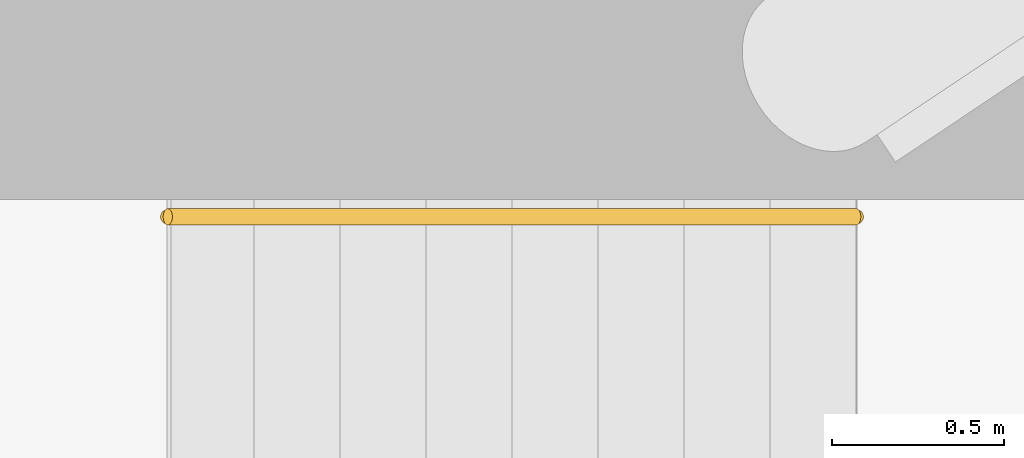
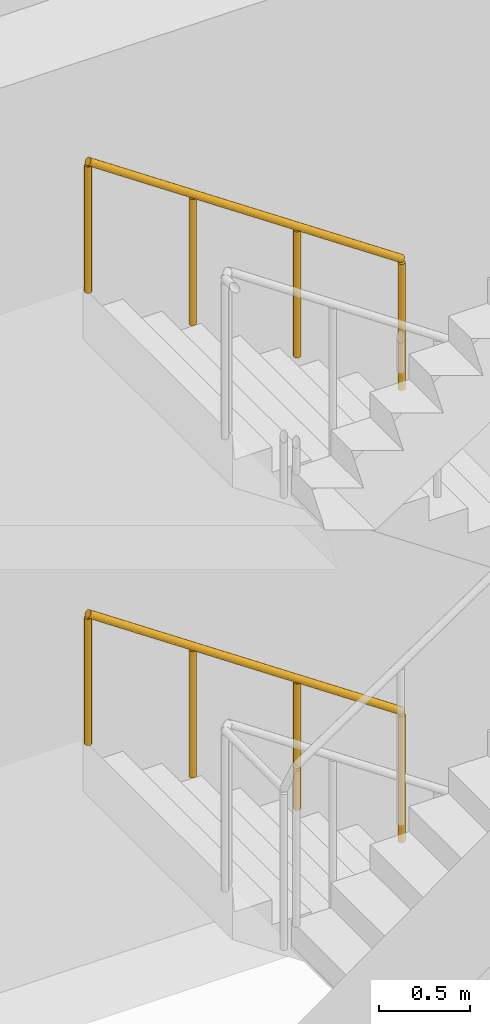
# One storey, part 24 of 25: 2 railings.
"""IFC4 building model written with IfcOpenShell, lengths in metres."""

from ifc_helpers import new_model, si_unit, direction, frame, origin, origin_2d, place, context, subcontext, project, spatial, circle, extrude, material, type_object, element, save


model = new_model("IFC4")

# Units and contexts
model_context = context("Model", 3, precision=1e-05, world=origin(), true_north=direction((0.0, 1.0)))
body_context = subcontext(model_context, "Body", "Model", "MODEL_VIEW")
ifc_project = project(units=[si_unit("LENGTHUNIT", "METRE"), si_unit("AREAUNIT", "SQUARE_METRE"), si_unit("VOLUMEUNIT", "CUBIC_METRE"), si_unit("PLANEANGLEUNIT", "RADIAN"), si_unit("MASSUNIT", "GRAM", prefix="KILO")], contexts=[model_context])

# Site, building, storey
site_placement = place(None, origin())
site = spatial("IfcSite", under=ifc_project, at=site_placement, CompositionType="ELEMENT")
building_placement = place(site_placement, origin())
building = spatial("IfcBuilding", under=site, at=building_placement, Name="Maasbend Ring Residences", CompositionType="ELEMENT")
storey_placement = place(building_placement, frame((0.0, 0.0, 139.10009765625)))
storey = spatial("IfcBuildingStorey", under=building, at=storey_placement, Name="L40", CompositionType="ELEMENT", Elevation=139.10009765625)

# Railings
ifc_material = material(Name="Stainless steel 316", Category="steel")
railing_type = type_object("IfcRailingType", Name="STAIR HANDRAIL 900", PredefinedType="HANDRAIL", material=ifc_material)
railing_1_placement = place(storey_placement, frame((13.550048828125, 8.550048828125, 0.16943359375)))
element("IfcRailing", 1, at=railing_1_placement, inside=storey, type_object=railing_type, Name="L40 ST-E1 stair handrail 1", PredefinedType="HANDRAIL", context=body_context, shape_type="SweptSolid", body=[
    extrude(circle(Radius=0.02392578125, at=origin_2d()), frame((0.0, 0.0, 0.8759765625), z_axis=(-0.827797584762, 0.0, 0.561026878735), x_axis=(0.0, -1.0, 0.0)), (0.0, 0.0, 1.0), 2.416015625),
    extrude(circle(Radius=0.02099609375, at=origin_2d()), origin(), (0.0, 0.0, 1.0), 0.851806640625),
    extrude(circle(Radius=0.02099609375, at=origin_2d()), frame((-0.666748046875, 0.0, 0.451904296875)), (0.0, 0.0, 1.0), 0.851806640625),
    extrude(circle(Radius=0.02099609375, at=origin_2d()), frame((-1.333251953125, 0.0, 0.903564453125)), (0.0, 0.0, 1.0), 0.851806640625),
    extrude(circle(Radius=0.02099609375, at=origin_2d()), frame((-2.0, 0.0, 1.35546875)), (0.0, 0.0, 1.0), 0.851806640625),
])
railing_2_placement = place(storey_placement, frame((13.550048828125, 8.550048828125, 3.21923828125)))
element("IfcRailing", 2, at=railing_2_placement, inside=storey, type_object=railing_type, Name="L40 ST-E1 stair handrail 3", PredefinedType="HANDRAIL", context=body_context, shape_type="SweptSolid", body=[
    extrude(circle(Radius=0.02392578125, at=origin_2d()), frame((0.0, 0.0, 0.8759765625), z_axis=(-0.827750655447, 0.0, 0.561096116906), x_axis=(0.0, -1.0, 0.0)), (0.0, 0.0, 1.0), 2.416259765625),
    extrude(circle(Radius=0.02099609375, at=origin_2d()), origin(), (0.0, 0.0, 1.0), 0.851806640625),
    extrude(circle(Radius=0.02099609375, at=origin_2d()), frame((-0.666748046875, 0.0, 0.451904296875)), (0.0, 0.0, 1.0), 0.851806640625),
    extrude(circle(Radius=0.02099609375, at=origin_2d()), frame((-1.333251953125, 0.0, 0.90380859375)), (0.0, 0.0, 1.0), 0.851806640625),
    extrude(circle(Radius=0.02099609375, at=origin_2d()), frame((-2.0, 0.0, 1.355712890625)), (0.0, 0.0, 1.0), 0.851806640625),
])

save(model, "model.ifc")
